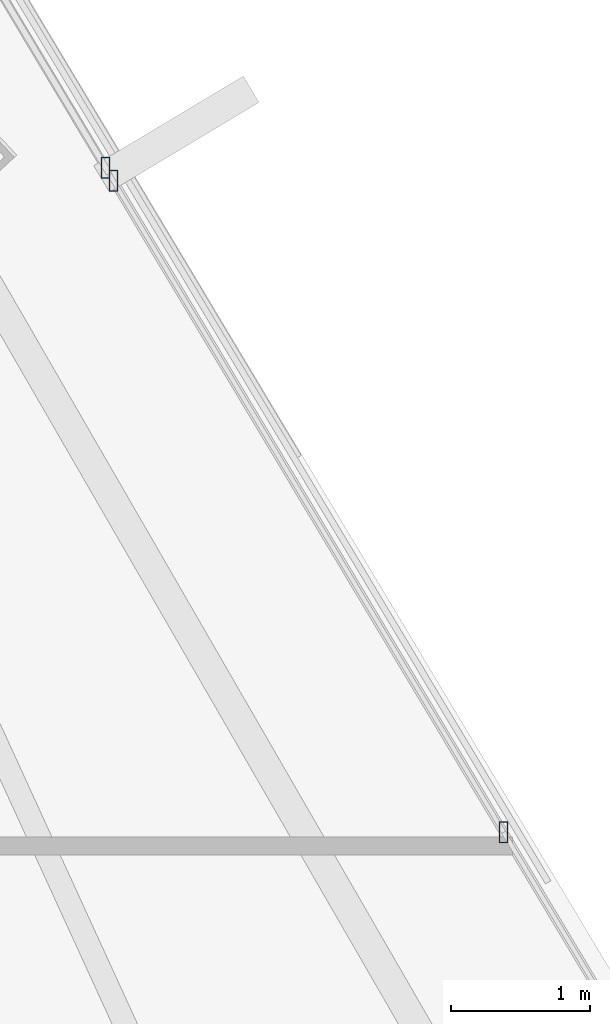
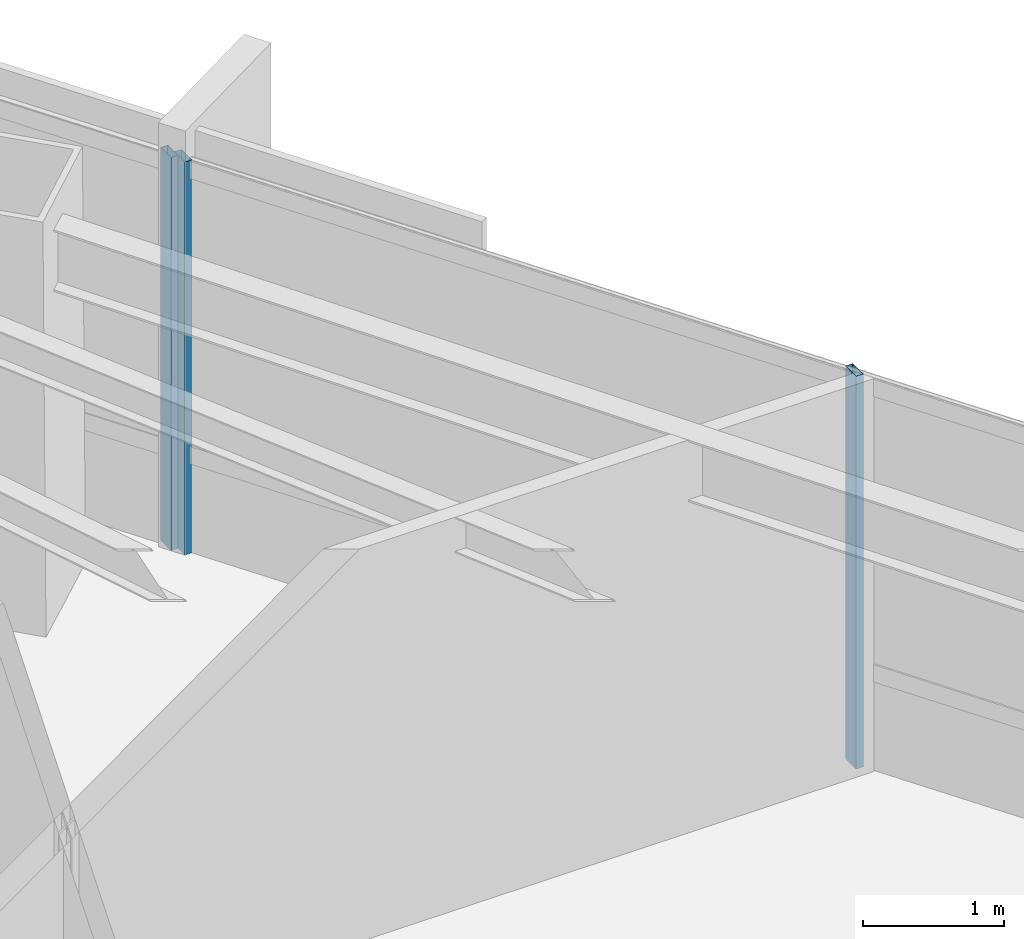
# One storey, part 22 of 40: 3 members, 2 elements without a shape of their own.
"""IFC4 building model written with IfcOpenShell, lengths in metres."""

from ifc_helpers import new_model, si_unit, direction, frame, origin, origin_2d, place, context, subcontext, project, spatial, hollow_rectangle, extrude, source, transform, mapped, material, material_profile, profile_set, type_object, type_shapes, element, aggregate, save


model = new_model("IFC4")

# Units and contexts
model_context = context("Model", 3, precision=1e-05, world=origin(), true_north=direction((0.0, 1.0)))
body_context = subcontext(model_context, "Body", "Model", "MODEL_VIEW")
ifc_project = project(units=[si_unit("LENGTHUNIT", "METRE"), si_unit("AREAUNIT", "SQUARE_METRE"), si_unit("VOLUMEUNIT", "CUBIC_METRE"), si_unit("PLANEANGLEUNIT", "RADIAN"), si_unit("MASSUNIT", "GRAM", prefix="KILO")], contexts=[model_context])

# Site, building, storey
site_placement = place(None, origin())
site = spatial("IfcSite", under=ifc_project, at=site_placement, CompositionType="ELEMENT")
building_placement = place(site_placement, origin())
building = spatial("IfcBuilding", under=site, at=building_placement, Name="Caelisora Broadcast Tower", CompositionType="ELEMENT")
storey_placement = place(building_placement, frame((0.0, 0.0, 176.75)))
storey = spatial("IfcBuildingStorey", under=building, at=storey_placement, Name="L46", CompositionType="ELEMENT", Elevation=176.75)

# Curtain wall, member
ifc_material_1 = material(Name="Unitised Aluminium Insulated Shadow-Box Spandrel Curtain Wall", Category="aluminium")
curtain_wall_type_1 = type_object("IfcCurtainWallType", Name="CW-SP2", PredefinedType="NOTDEFINED", material=ifc_material_1)
curtain_wall_1_placement = place(storey_placement, origin())
curtain_wall_1 = element("IfcCurtainWall", 1, at=curtain_wall_1_placement, inside=storey, type_object=curtain_wall_type_1, Name="L46 curtain wall CW-SP2", PredefinedType="NOTDEFINED")
ifc_material_2 = material(Name="Aluminium 6063-T6 Anodised Terracotta Bronze", Category="aluminium")
ifc_material_profile = material_profile(ifc_material_2, hollow_rectangle(XDim=0.06005859375, YDim=0.14990234375, WallThickness=0.00341796875, at=origin_2d()), Name="Aluminium 6063-T6 Anodised Terracotta Bronze")
ifc_profile_set = profile_set([ifc_material_profile], Name="Aluminium 6063-T6 Anodised Terracotta Bronze")
member_type = type_object("IfcMemberType", Name="CWM-03", PredefinedType="MULLION", material=ifc_profile_set)
shared_shape = source(origin(), body_context, "Body", "SweptSolid", [
    extrude(hollow_rectangle(XDim=0.06005859375, YDim=0.14990234375, WallThickness=0.00341796875, at=origin_2d()), origin(), (0.0, 0.0, 1.0), 3.39990234375),
])
type_shapes(member_type, [shared_shape])
member_1_placement = place(storey_placement, frame((56.14990234375, 27.204345703125, 0.0), z_axis=(0.0, 0.0, 1.0), x_axis=(1.0, 0.0, 0.0)))
member_1 = element("IfcMember", 2, at=member_1_placement, type_object=member_type, Name="L46-CW-B02 mullion #3", PredefinedType="MULLION", context=body_context, shape_type="MappedRepresentation", body=[
    mapped(shared_shape, transform((0.0, 0.0, 0.0), scale=1.0)),
])
aggregate(curtain_wall_1, [member_1])

# Curtain wall, members
ifc_material_3 = material(Name="Unitised Aluminium and Low-E Glass Curtain Wall", Category="glass")
curtain_wall_type_2 = type_object("IfcCurtainWallType", Name="CW-Z3", PredefinedType="NOTDEFINED", material=ifc_material_3)
curtain_wall_2_placement = place(storey_placement, origin())
curtain_wall_2 = element("IfcCurtainWall", 3, at=curtain_wall_2_placement, inside=storey, type_object=curtain_wall_type_2, Name="L46 curtain wall CW-Z3", PredefinedType="NOTDEFINED")
member_2_placement = place(storey_placement, frame((56.20654296875, 27.110107421875, 0.0), z_axis=(0.0, 0.0, 1.0), x_axis=(1.0, 0.0, 0.0)))
member_2 = element("IfcMember", 4, at=member_2_placement, type_object=member_type, Name="L46-CW-B03 mullion #0", PredefinedType="MULLION", context=body_context, shape_type="MappedRepresentation", body=[
    mapped(shared_shape, transform((0.0, 0.0, 0.0), scale=1.0)),
])
member_3_placement = place(storey_placement, frame((59.00439453125, 22.4375, 0.0), z_axis=(0.0, 0.0, 1.0), x_axis=(1.0, 0.0, 0.0)))
member_3 = element("IfcMember", 5, at=member_3_placement, type_object=member_type, Name="L46-CW-B03 mullion #1", PredefinedType="MULLION", context=body_context, shape_type="MappedRepresentation", body=[
    mapped(shared_shape, transform((0.0, 0.0, 0.0), scale=1.0)),
])
aggregate(curtain_wall_2, [member_2, member_3])

save(model, "model.ifc")
